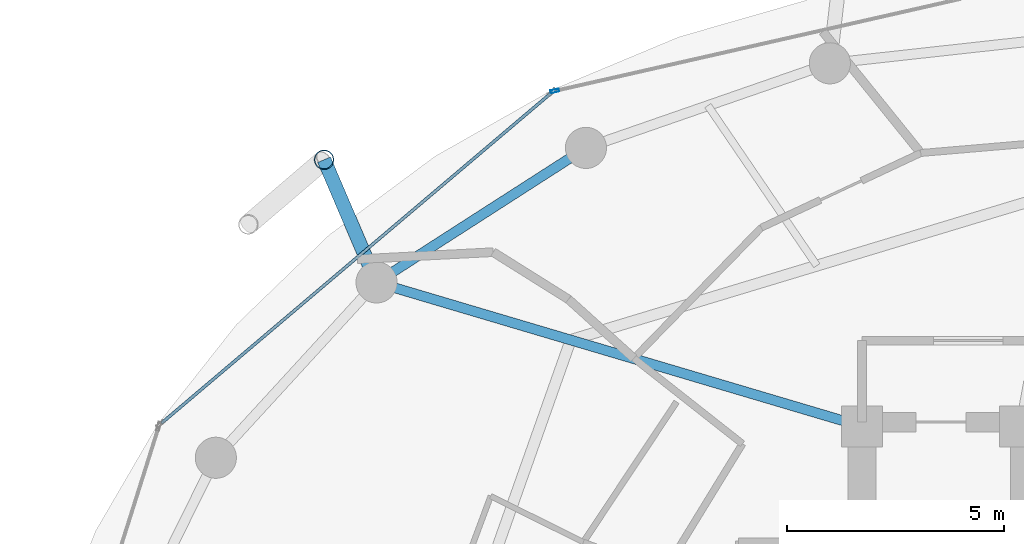
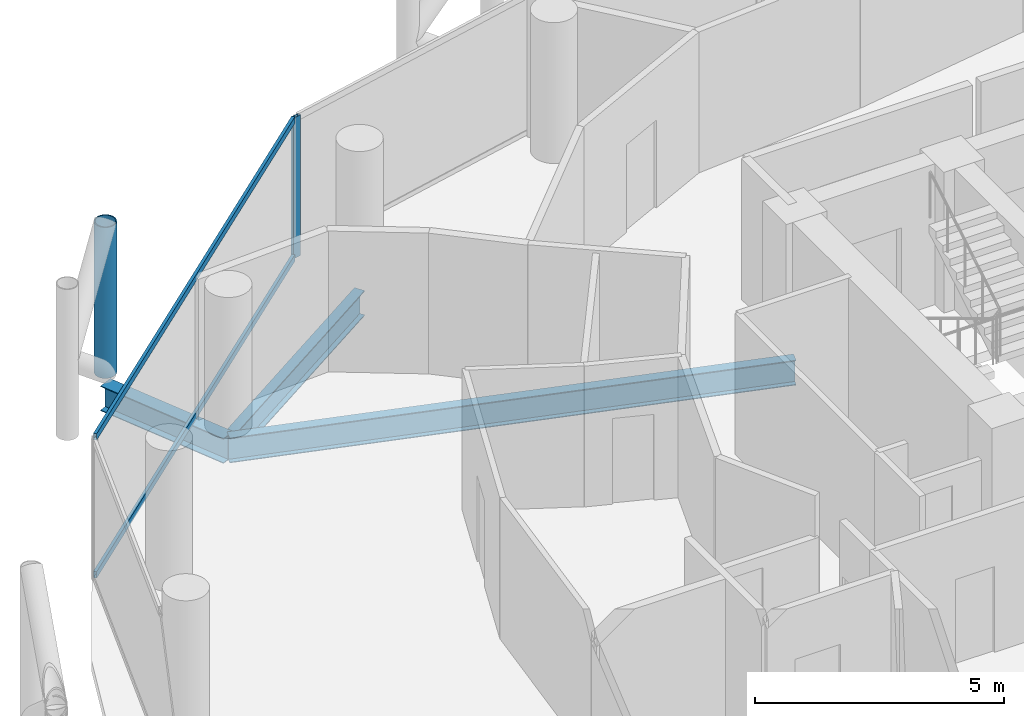
# One storey, part 14 of 26: 4 members, 3 beams, 2 elements without a shape of their own.
"""IFC4 building model written with IfcOpenShell, lengths in metres."""

import ifcopenshell
import ifcopenshell.guid

model = None  # the IFC model being written
_history = None  # IfcOwnerHistory: only IFC2X3 demands one
_inside = {}  # id of a spatial element -> (the spatial element, [elements in it])
_under = {}  # id of a project, library or spatial element -> (it, [spatial elements below it])
_declared = {}  # id of a project -> (the project, [libraries it declares])
_typed = {}  # id of a type object -> (the type object, [elements of that type])
_made_of = {}  # id of a material, layer set ... -> (it, [elements and type objects made of it])


def new_model(schema):
    """Start an empty IFC model of exactly this schema.

    Asked for "IFC4X3", IfcOpenShell would pick the latest addendum, in which some entities
    have other attributes; the version numbers below select the first issue.
    IFC2X3 requires an IfcOwnerHistory on every rooted entity: one is made here for all.
    """
    global model, _history
    if schema == "IFC4X3":
        model = ifcopenshell.file(schema_version=(4, 3, 0, 0))
    else:
        model = ifcopenshell.file(schema=schema)
    _inside.clear()
    _under.clear()
    _declared.clear()
    _typed.clear()
    _made_of.clear()
    _history = None
    if model.schema == "IFC2X3":
        org = make("IfcOrganization", Name="unknown")
        user = make(
            "IfcPersonAndOrganization",
            ThePerson=make("IfcPerson", FamilyName="unknown"),
            TheOrganization=org,
        )
        app = make(
            "IfcApplication",
            ApplicationDeveloper=org,
            Version="unknown",
            ApplicationFullName="unknown",
            ApplicationIdentifier="unknown",
        )
        _history = make(
            "IfcOwnerHistory",
            OwningUser=user,
            OwningApplication=app,
            ChangeAction="ADDED",
            CreationDate=0,
        )
    return model


def make(cls, **values):
    """One entity of the class cls with the attributes given. An attribute that is None is left unset."""
    return model.create_entity(
        cls, **{name: value for name, value in values.items() if value is not None}
    )


def rooted(cls, **values):
    """An entity with a GlobalId (a new one), such as an element, a storey or a relation."""
    return make(cls, GlobalId=ifcopenshell.guid.new(), OwnerHistory=_history, **values)


def si_unit(unit_type, name, prefix=None):
    """IfcSIUnit, for example si_unit("LENGTHUNIT", "METRE", prefix="MILLI")."""
    return make("IfcSIUnit", UnitType=unit_type, Prefix=prefix, Name=name)


def assignment(units):
    """IfcUnitAssignment: the units of a project."""
    return None if units is None else make("IfcUnitAssignment", Units=units)


def point(xyz):
    """IfcCartesianPoint."""
    return None if xyz is None else make("IfcCartesianPoint", Coordinates=xyz)


def direction(xyz):
    """IfcDirection."""
    return None if xyz is None else make("IfcDirection", DirectionRatios=xyz)


def frame(location, z_axis=None, x_axis=None):
    """IfcAxis2Placement3D, a coordinate frame: its origin and axes. An axis left out is left unset."""
    return make(
        "IfcAxis2Placement3D",
        Location=point(location),
        Axis=direction(z_axis),
        RefDirection=direction(x_axis),
    )


def frame_2d(location, x_axis=None):
    """IfcAxis2Placement2D, a coordinate frame in the plane: its origin and x axis."""
    return make(
        "IfcAxis2Placement2D", Location=point(location), RefDirection=direction(x_axis)
    )


def origin():
    """The frame at (0, 0, 0) with its axes left unset."""
    return frame((0.0, 0.0, 0.0))


def origin_2d():
    """The frame at (0, 0) in the plane with its x axis left unset."""
    return frame_2d((0.0, 0.0))


def place(relative_to, where):
    """IfcLocalPlacement: puts the frame where relative to a parent placement (None: the world)."""
    return make(
        "IfcLocalPlacement", PlacementRelTo=relative_to, RelativePlacement=where
    )


def context(
    kind, dimensions, precision=None, world=None, true_north=None, identifier=None
):
    """IfcGeometricRepresentationContext, for example the 3D "Model" context."""
    return make(
        "IfcGeometricRepresentationContext",
        ContextIdentifier=identifier,
        ContextType=kind,
        CoordinateSpaceDimension=dimensions,
        Precision=precision,
        WorldCoordinateSystem=world,
        TrueNorth=true_north,
    )


def subcontext(parent, identifier, kind, view, scale=None):
    """IfcGeometricRepresentationSubContext, for example "Body" below "Model"."""
    return make(
        "IfcGeometricRepresentationSubContext",
        ContextIdentifier=identifier,
        ContextType=kind,
        ParentContext=parent,
        TargetScale=scale,
        TargetView=view,
    )


def project(units=None, contexts=None):
    """IfcProject with its units and contexts."""
    return rooted(
        "IfcProject",
        Name="project",
        RepresentationContexts=contexts,
        UnitsInContext=assignment(units),
    )


def spatial(cls, under=None, at=None, **own):
    """A site, building, storey or space (cls), placed at a placement, below another one or the project."""
    s = rooted(cls, ObjectPlacement=at, **own)
    if under is not None:
        _under.setdefault(under.id(), (under, []))[1].append(s)
    return s


def profile(cls, at=None, kind="AREA", **sizes):
    """A parametric profile (cls). Its sizes go by their IFC names, for example OverallWidth=200.0."""
    return make(cls, ProfileType=kind, Position=at, **sizes)


def hollow_rectangle(**sizes):
    """IfcRectangleHollowProfileDef."""
    return profile("IfcRectangleHollowProfileDef", **sizes)


def hollow_circle(**sizes):
    """IfcCircleHollowProfileDef."""
    return profile("IfcCircleHollowProfileDef", **sizes)


def i_section(**sizes):
    """IfcIShapeProfileDef."""
    return profile("IfcIShapeProfileDef", **sizes)


def extrude(swept, where, along, depth):
    """IfcExtrudedAreaSolid: the profile swept, set in the frame where, extruded along a direction by depth."""
    return make(
        "IfcExtrudedAreaSolid",
        SweptArea=swept,
        Position=where,
        ExtrudedDirection=direction(along),
        Depth=depth,
    )


def shape(context_of_items, identifier, shape_type, items):
    """IfcShapeRepresentation: the items that make up one representation, for example the "Body"."""
    return make(
        "IfcShapeRepresentation",
        ContextOfItems=context_of_items,
        RepresentationIdentifier=identifier,
        RepresentationType=shape_type,
        Items=items,
    )


def material(Name=None, Category=None):
    """IfcMaterial."""
    return make("IfcMaterial", Name=Name, Category=Category)


def layer(
    of_material, thickness, ventilated=None, Name=None, Category=None, Priority=None
):
    """IfcMaterialLayer: one layer of a wall or slab, of a material (None: an air gap)."""
    return make(
        "IfcMaterialLayer",
        Material=of_material,
        LayerThickness=thickness,
        IsVentilated=ventilated,
        Name=Name,
        Category=Category,
        Priority=Priority,
    )


def layer_set(layers, Name=None):
    """IfcMaterialLayerSet."""
    return make("IfcMaterialLayerSet", MaterialLayers=layers, LayerSetName=Name)


def material_profile(
    of_material, cross_section, Name=None, Category=None, Priority=None
):
    """IfcMaterialProfile: a cross section and its material."""
    return make(
        "IfcMaterialProfile",
        Name=Name,
        Material=of_material,
        Profile=cross_section,
        Priority=Priority,
        Category=Category,
    )


def profile_set(profiles, Name=None, composite=None):
    """IfcMaterialProfileSet."""
    return make(
        "IfcMaterialProfileSet",
        Name=Name,
        MaterialProfiles=profiles,
        CompositeProfile=composite,
    )


def made_of(thing, what):
    """Note that an element or type object is made of a material, layer set ...; save() writes the relation."""
    if what is not None:
        _made_of.setdefault(what.id(), (what, []))[1].append(thing)
    return thing


def type_object(cls, material=None, **own):
    """A type object (cls), such as IfcWallType, which elements share."""
    return made_of(rooted(cls, **own), material)


def element(
    cls,
    number,
    at=None,
    inside=None,
    cuts=None,
    type_object=None,
    material=None,
    context=None,
    identifier="Body",
    shape_type=None,
    held_by="IfcProductDefinitionShape",
    body=None,
    shapes=None,
    **own,
):
    """One element of the class cls, such as IfcWall. Its Tag is "e" and its number.

    at: its placement. inside: the storey or other place that contains it. cuts: it is an
    opening in that element (IfcRelVoidsElement). A single representation is given by context,
    identifier, shape_type and body (its items); several are given by shapes. held_by: the class
    of the entity that holds the representations. save() writes the other relations.
    """
    e = rooted(cls, Tag="e%d" % number, ObjectPlacement=at, **own)
    if body is not None:
        shapes = [shape(context, identifier, shape_type, body)]
    if shapes is not None:
        e.Representation = make(held_by, Representations=shapes)
    if inside is not None:
        _inside.setdefault(inside.id(), (inside, []))[1].append(e)
    if cuts is not None:
        rooted(
            "IfcRelVoidsElement", RelatingBuildingElement=cuts, RelatedOpeningElement=e
        )
    if type_object is not None:
        _typed.setdefault(type_object.id(), (type_object, []))[1].append(e)
    return made_of(e, material)


def aggregate(whole, parts):
    """IfcRelAggregates: a whole, such as a stair, and the parts it consists of."""
    return rooted("IfcRelAggregates", RelatingObject=whole, RelatedObjects=parts)


def save(model, path):
    """Write the relations noted so far, then the file.

    IfcRelAggregates (storeys below a building ...), IfcRelContainedInSpatialStructure (elements
    in a storey), IfcRelDefinesByType, IfcRelAssociatesMaterial and IfcRelDeclares: one each for
    every whole, place, type object, material and project.
    """
    for whole, parts in _under.values():
        aggregate(whole, parts)
    for where, things in _inside.values():
        rooted(
            "IfcRelContainedInSpatialStructure",
            RelatedElements=things,
            RelatingStructure=where,
        )
    for kind, things in _typed.values():
        rooted("IfcRelDefinesByType", RelatedObjects=things, RelatingType=kind)
    for what, things in _made_of.values():
        rooted("IfcRelAssociatesMaterial", RelatedObjects=things, RelatingMaterial=what)
    for by, libraries in _declared.values():
        rooted("IfcRelDeclares", RelatingContext=by, RelatedDefinitions=libraries)
    model.write(path)


model = new_model("IFC4")

# Units and contexts
model_context = context("Model", 3, precision=1e-05, world=origin(), true_north=direction((0.0, 1.0)))
body_context = subcontext(model_context, "Body", "Model", "MODEL_VIEW")
ifc_project = project(units=[si_unit("LENGTHUNIT", "METRE"), si_unit("AREAUNIT", "SQUARE_METRE"), si_unit("VOLUMEUNIT", "CUBIC_METRE"), si_unit("PLANEANGLEUNIT", "RADIAN"), si_unit("MASSUNIT", "GRAM", prefix="KILO")], contexts=[model_context])

# Site, building, storey
site_placement = place(None, origin())
site = spatial("IfcSite", under=ifc_project, at=site_placement, CompositionType="ELEMENT")
building_placement = place(site_placement, origin())
building = spatial("IfcBuilding", under=site, at=building_placement, Name="Nuhasar Tower", CompositionType="ELEMENT")
storey_placement = place(building_placement, frame((0.0, 0.0, 184.85009765625)))
storey = spatial("IfcBuildingStorey", under=building, at=storey_placement, Name="L45", CompositionType="ELEMENT", Elevation=184.85009765625)

# Beams
ifc_material_1 = material(Name="Steel S355", Category="steel")
ifc_material_profile_1 = material_profile(ifc_material_1, i_section(OverallWidth=0.22900390625, OverallDepth=0.612060546875, WebThickness=0.011962890625, FlangeThickness=0.01953125, at=origin_2d()), Name="W24X84")
ifc_profile_set_1 = profile_set([ifc_material_profile_1], Name="Steel S355")
beam_type_1 = type_object("IfcBeamType", Name="BM-RAD-W24X84", PredefinedType="BEAM", material=ifc_profile_set_1)
beam_1_placement = place(storey_placement, frame((33.699951171875, 37.300048828125, -0.55615234375), z_axis=(-0.958746492721, 0.284262489076, 0.0), x_axis=(-0.284262489076, -0.958746492721, 0.0)))
element("IfcBeam", 1, at=beam_1_placement, inside=storey, type_object=beam_type_1, Name="L45 Radial Floor Girder 07", PredefinedType="BEAM", context=body_context, shape_type="SweptSolid", body=[
    extrude(i_section(OverallWidth=0.22900390625, OverallDepth=0.612060546875, WebThickness=0.011962890625, FlangeThickness=0.01953125, at=origin_2d()), origin(), (0.0, 0.0, 1.0), 11.693359375),
])
ifc_material_profile_2 = material_profile(ifc_material_1, i_section(OverallWidth=0.22998046875, OverallDepth=0.616943359375, WebThickness=0.01318359375, FlangeThickness=0.022216796875, at=origin_2d()), Name="W24X94")
ifc_profile_set_2 = profile_set([ifc_material_profile_2], Name="Steel S355")
beam_type_2 = type_object("IfcBeamType", Name="BM-RING-W24X94", PredefinedType="SPANDREL", material=ifc_profile_set_2)
beam_2_placement = place(storey_placement, frame((27.324951171875, 43.73095703125, -0.55908203125), z_axis=(-0.841327486207, -0.540525726448, 0.0), x_axis=(0.540525726448, -0.841327486207, 0.0)))
element("IfcBeam", 2, at=beam_2_placement, inside=storey, type_object=beam_type_2, Name="L45 Perimeter Ring Spandrel 09", PredefinedType="SPANDREL", context=body_context, shape_type="SweptSolid", body=[
    extrude(i_section(OverallWidth=0.22998046875, OverallDepth=0.616943359375, WebThickness=0.01318359375, FlangeThickness=0.022216796875, at=origin_2d()), origin(), (0.0, 0.0, 1.0), 5.748046875),
])
ifc_material_profile_3 = material_profile(ifc_material_1, i_section(OverallWidth=0.323974609375, OverallDepth=0.611083984375, WebThickness=0.0126953125, FlangeThickness=0.01904296875, at=origin_2d()), Name="W24X104")
ifc_profile_set_3 = profile_set([ifc_material_profile_3], Name="Steel S355")
beam_type_3 = type_object("IfcBeamType", Name="BM-TIE-W24X104", PredefinedType="BEAM", material=ifc_profile_set_3)
beam_3_placement = place(storey_placement, frame((22.489013671875, 40.6240234375, -0.55615234375), z_axis=(-0.39330721304, 0.919407111225, 0.0), x_axis=(-0.919407111225, -0.39330721304, 0.0)))
element("IfcBeam", 3, at=beam_3_placement, inside=storey, type_object=beam_type_3, Name="L45 Exoskeleton Node Tie Beam 05", PredefinedType="BEAM", context=body_context, shape_type="SweptSolid", body=[
    extrude(i_section(OverallWidth=0.323974609375, OverallDepth=0.611083984375, WebThickness=0.0126953125, FlangeThickness=0.01904296875, at=origin_2d()), origin(), (0.0, 0.0, 1.0), 3.081298828125),
])

# Curtain wall, member
ifc_material_2 = material(Name="Aluminium 6063-T6", Category="aluminium")
ifc_layer = layer(ifc_material_2, 0.199951171875)
ifc_layer_set = layer_set([ifc_layer], Name="Aluminium 6063-T6")
curtain_wall_type = type_object("IfcCurtainWallType", Name="CW-Z2-HTL", PredefinedType="NOTDEFINED", material=ifc_layer_set)
curtain_wall_1_placement = place(storey_placement, origin())
curtain_wall_1 = element("IfcCurtainWall", 4, at=curtain_wall_1_placement, inside=storey, type_object=curtain_wall_type, Name="L45 Unitised Curtain Wall 04", PredefinedType="NOTDEFINED")
ifc_material_profile_4 = material_profile(ifc_material_2, hollow_rectangle(XDim=0.070068359375, YDim=0.199951171875, WallThickness=0.0048828125, at=origin_2d()), Name="CWM-3")
ifc_profile_set_4 = profile_set([ifc_material_profile_4], Name="Aluminium 6063-T6")
member_type_1 = type_object("IfcMemberType", Name="CW-MUL-S3", PredefinedType="MULLION", material=ifc_profile_set_4)
member_1_placement = place(storey_placement, frame((26.604248046875, 45.045654296875, 0.0), z_axis=(0.0, 0.0, 1.0), x_axis=(0.22139729566, -0.975183694221, 0.0)))
member_1 = element("IfcMember", 5, at=member_1_placement, type_object=member_type_1, Name="CW-Z2 mullion 2", PredefinedType="MULLION", context=body_context, shape_type="SweptSolid", body=[
    extrude(hollow_rectangle(XDim=0.070068359375, YDim=0.199951171875, WallThickness=0.0048828125, at=origin_2d()), origin(), (0.0, 0.0, 1.0), 3.449951171875),
])
aggregate(curtain_wall_1, [member_1])

# Curtain wall, members
curtain_wall_2_placement = place(storey_placement, origin())
curtain_wall_2 = element("IfcCurtainWall", 6, at=curtain_wall_2_placement, inside=storey, type_object=curtain_wall_type, Name="L45 Unitised Curtain Wall 05", PredefinedType="NOTDEFINED")
ifc_material_profile_5 = material_profile(ifc_material_2, hollow_rectangle(XDim=0.070068359375, YDim=0.159912109375, WallThickness=0.00439453125, at=origin_2d()), Name="CWT-3")
ifc_profile_set_5 = profile_set([ifc_material_profile_5], Name="Aluminium 6063-T6")
member_type_2 = type_object("IfcMemberType", Name="CW-TRN-S3", PredefinedType="USERDEFINED", material=ifc_profile_set_5)
member_2_placement = place(storey_placement, frame((26.5166015625, 44.99267578125, 0.034912109375), z_axis=(-0.763023915269, -0.646370253592, 0.0), x_axis=(0.646370253592, -0.763023915269, 0.0)))
member_2 = element("IfcMember", 7, at=member_2_placement, type_object=member_type_2, Name="CW-Z2 transom 1.1", ObjectType="TRANSOM", PredefinedType="USERDEFINED", context=body_context, shape_type="SweptSolid", body=[
    extrude(hollow_rectangle(XDim=0.070068359375, YDim=0.159912109375, WallThickness=0.00439453125, at=origin_2d()), origin(), (0.0, 0.0, 1.0), 11.784912109375),
])
member_3_placement = place(storey_placement, frame((26.5166015625, 44.99267578125, 3.414794921875), z_axis=(-0.763023915269, -0.646370253592, 0.0), x_axis=(0.646370253592, -0.763023915269, 0.0)))
member_3 = element("IfcMember", 8, at=member_3_placement, type_object=member_type_2, Name="CW-Z2 transom 1.2", ObjectType="TRANSOM", PredefinedType="USERDEFINED", context=body_context, shape_type="SweptSolid", body=[
    extrude(hollow_rectangle(XDim=0.070068359375, YDim=0.159912109375, WallThickness=0.00439453125, at=origin_2d()), origin(), (0.0, 0.0, 1.0), 11.784912109375),
])
aggregate(curtain_wall_2, [member_2, member_3])

# Member
ifc_material_3 = material(Name="Steel S460", Category="steel")
ifc_material_profile_6 = material_profile(ifc_material_3, hollow_circle(Radius=0.228515625, WallThickness=0.022216796875, at=origin_2d()), Name="HSS457X22.2")
ifc_profile_set_6 = profile_set([ifc_material_profile_6], Name="Steel S460")
member_type_3 = type_object("IfcMemberType", Name="EXO-BRONZE-457", PredefinedType="BRACE", material=ifc_profile_set_6)
member_4_placement = place(storey_placement, frame((21.277099609375, 43.45703125, 0.0), z_axis=(0.0, 0.0, 1.0), x_axis=(1.0, 0.0, 0.0)))
element("IfcMember", 9, at=member_4_placement, inside=storey, type_object=member_type_3, Name="L45 Exoskeleton Chord Column EC-05A", PredefinedType="BRACE", context=body_context, shape_type="SweptSolid", body=[
    extrude(hollow_circle(Radius=0.228515625, WallThickness=0.022216796875, at=origin_2d()), origin(), (0.0, 0.0, 1.0), 3.699951171875),
])

save(model, "model.ifc")
